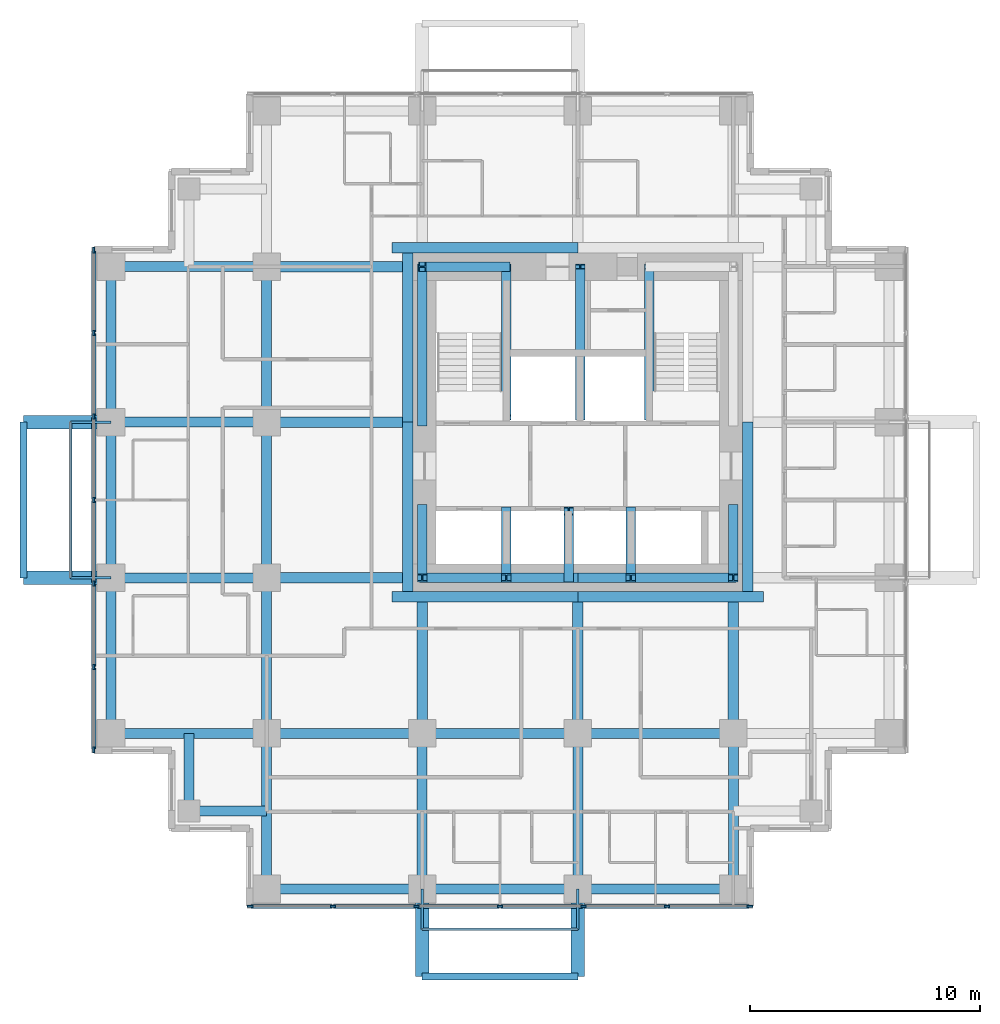
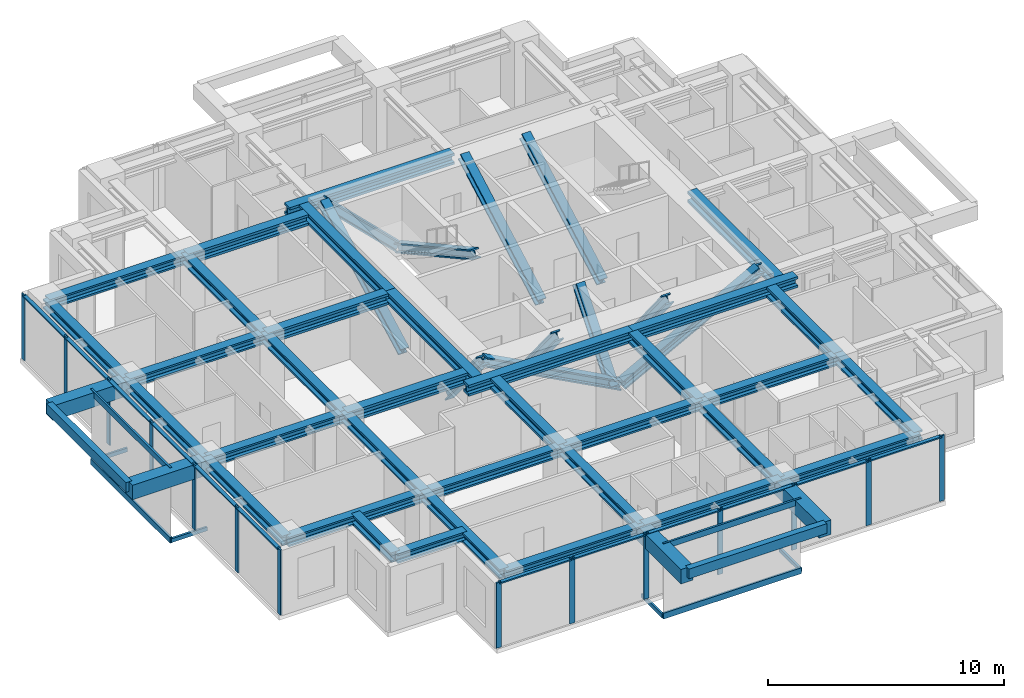
# One storey, part 2 of 10: 46 members, 40 beams, 2 elements without a shape of their own.
"""IFC4 building model written with IfcOpenShell, lengths in metres."""

from ifc_helpers import new_model, si_unit, direction, frame, origin, origin_2d, place, context, subcontext, project, spatial, rectangle, hollow_rectangle, i_section, extrude, material, material_profile, profile_set, type_object, element, aggregate, save


model = new_model("IFC4")

# Units and contexts
model_context = context("Model", 3, precision=1e-05, world=origin(), true_north=direction((0.0, 1.0)))
body_context = subcontext(model_context, "Body", "Model", "MODEL_VIEW")
ifc_project = project(units=[si_unit("LENGTHUNIT", "METRE"), si_unit("AREAUNIT", "SQUARE_METRE"), si_unit("VOLUMEUNIT", "CUBIC_METRE"), si_unit("PLANEANGLEUNIT", "RADIAN"), si_unit("MASSUNIT", "GRAM", prefix="KILO")], contexts=[model_context])

# Site, building, storey
site_placement = place(None, origin())
site = spatial("IfcSite", under=ifc_project, at=site_placement, CompositionType="ELEMENT")
building_placement = place(site_placement, origin())
building = spatial("IfcBuilding", under=site, at=building_placement, Name="Nyansa Garden Tower", CompositionType="ELEMENT")
storey_placement = place(building_placement, frame((0.0, 0.0, 189.0)))
storey = spatial("IfcBuildingStorey", under=building, at=storey_placement, Name="L51", CompositionType="ELEMENT", Elevation=189.0)

# Beams
ifc_material_1 = material(Name="Concrete C70/85", Category="concrete")
ifc_material_profile_1 = material_profile(ifc_material_1, rectangle(XDim=0.60009765625, YDim=0.75, at=origin_2d()), Name="RC 600x750")
ifc_profile_set_1 = profile_set([ifc_material_profile_1], Name="Concrete C70/85")
beam_type_1 = type_object("IfcBeamType", Name="Balcony cantilever beam CB1 RC 600x750", PredefinedType="BEAM", material=ifc_profile_set_1)
for number, where, z_axis, x_axis, name in (
    (1, (13.5, 0.0, 2.985107421875), (0.0, -1.0, 0.0), (1.0, 0.0, 0.0), "Balcony cantilever beam L52"),
    (2, (20.25, 0.0, 2.985107421875), (0.0, -1.0, 0.0), (1.0, 0.0, 0.0), "Balcony cantilever beam L52"),
    (3, (0.0, 13.5, 2.985107421875), (-1.0, 0.0, 0.0), (0.0, -1.0, 0.0), "Balcony cantilever beam L52"),
    (4, (0.0, 20.25, 2.985107421875), (-1.0, 0.0, 0.0), (0.0, -1.0, 0.0), "Balcony cantilever beam L52"),
):
    element("IfcBeam", number, at=place(storey_placement, frame(where, z_axis=z_axis, x_axis=x_axis)), inside=storey, type_object=beam_type_1, Name=name, PredefinedType="BEAM", context=body_context, shape_type="SweptSolid", body=[
        extrude(rectangle(XDim=0.60009765625, YDim=0.75, at=origin_2d()), origin(), (0.0, 0.0, 1.0), 3.800048828125),
    ])
ifc_material_2 = material(Name="Concrete C70/85", Category="concrete")
ifc_material_profile_2 = material_profile(ifc_material_2, rectangle(XDim=0.300048828125, YDim=0.5, at=origin_2d()), Name="RC 300x500")
ifc_profile_set_2 = profile_set([ifc_material_profile_2], Name="Concrete C70/85")
beam_type_2 = type_object("IfcBeamType", Name="Balcony edge beam BE1 RC 300x500", PredefinedType="BEAM", material=ifc_profile_set_2)
for number, where, z_axis, x_axis, name in (
    (5, (13.5, -3.800048828125, 3.110107421875), (1.0, 0.0, 0.0), (0.0, 1.0, 0.0), "Balcony edge beam L52"),
    (6, (-3.800048828125, 13.5, 3.110107421875), (0.0, 1.0, 0.0), (-1.0, 0.0, 0.0), "Balcony edge beam L52"),
):
    element("IfcBeam", number, at=place(storey_placement, frame(where, z_axis=z_axis, x_axis=x_axis)), inside=storey, type_object=beam_type_2, Name=name, PredefinedType="BEAM", context=body_context, shape_type="SweptSolid", body=[
        extrude(rectangle(XDim=0.300048828125, YDim=0.5, at=origin_2d()), origin(), (0.0, 0.0, 1.0), 6.75),
    ])

# Curtain wall, members
ifc_material_3 = material(Name="Black anodised aluminium, dark tinted double glazing", Category="aluminium")
curtain_wall_type = type_object("IfcCurtainWallType", Name="Inner skin curtain wall ISW-C", PredefinedType="USERDEFINED", material=ifc_material_3)
curtain_wall_1_placement = place(storey_placement, origin())
curtain_wall_1 = element("IfcCurtainWall", 7, at=curtain_wall_1_placement, inside=storey, type_object=curtain_wall_type, Name="Inner skin curtain wall L51 W", ObjectType="UNITISED CURTAIN WALL", PredefinedType="USERDEFINED")
ifc_material_4 = material(Name="Black anodised aluminium", Category="aluminium")
ifc_material_profile_3 = material_profile(ifc_material_4, rectangle(XDim=0.070068359375, YDim=0.25, at=origin_2d()), Name="Mullion 250x70")
ifc_profile_set_3 = profile_set([ifc_material_profile_3], Name="Black anodised aluminium")
member_type_1 = type_object("IfcMemberType", Name="Mullion ISW-C 250x70", PredefinedType="MULLION", material=ifc_profile_set_3)
member_1_placement = place(storey_placement, frame((-0.75, 27.715087890625, 0.0), z_axis=(0.0, 0.0, 1.0), x_axis=(1.0, 0.0, 0.0)))
member_1 = element("IfcMember", 8, at=member_1_placement, type_object=member_type_1, Name="ISW-C mullion 1", PredefinedType="MULLION", context=body_context, shape_type="SweptSolid", body=[
    extrude(rectangle(XDim=0.070068359375, YDim=0.25, at=origin_2d()), origin(), (0.0, 0.0, 1.0), 3.375),
])
member_2_placement = place(storey_placement, frame((-0.75, 24.125, 0.0), z_axis=(0.0, 0.0, 1.0), x_axis=(1.0, 0.0, 0.0)))
member_2 = element("IfcMember", 9, at=member_2_placement, type_object=member_type_1, Name="ISW-C mullion 2", PredefinedType="MULLION", context=body_context, shape_type="SweptSolid", body=[
    extrude(rectangle(XDim=0.070068359375, YDim=0.25, at=origin_2d()), origin(), (0.0, 0.0, 1.0), 3.375),
])
member_3_placement = place(storey_placement, frame((-0.75, 20.5, 0.0), z_axis=(0.0, 0.0, 1.0), x_axis=(1.0, 0.0, 0.0)))
member_3 = element("IfcMember", 10, at=member_3_placement, type_object=member_type_1, Name="ISW-C mullion 3", PredefinedType="MULLION", context=body_context, shape_type="SweptSolid", body=[
    extrude(rectangle(XDim=0.070068359375, YDim=0.25, at=origin_2d()), origin(), (0.0, 0.0, 1.0), 3.375),
])
member_4_placement = place(storey_placement, frame((-0.75, 16.875, 0.0), z_axis=(0.0, 0.0, 1.0), x_axis=(1.0, 0.0, 0.0)))
member_4 = element("IfcMember", 11, at=member_4_placement, type_object=member_type_1, Name="ISW-C mullion 4", PredefinedType="MULLION", context=body_context, shape_type="SweptSolid", body=[
    extrude(rectangle(XDim=0.070068359375, YDim=0.25, at=origin_2d()), origin(), (0.0, 0.0, 1.0), 3.375),
])
member_5_placement = place(storey_placement, frame((-0.75, 13.25, 0.0), z_axis=(0.0, 0.0, 1.0), x_axis=(1.0, 0.0, 0.0)))
member_5 = element("IfcMember", 12, at=member_5_placement, type_object=member_type_1, Name="ISW-C mullion 5", PredefinedType="MULLION", context=body_context, shape_type="SweptSolid", body=[
    extrude(rectangle(XDim=0.070068359375, YDim=0.25, at=origin_2d()), origin(), (0.0, 0.0, 1.0), 3.375),
])
member_6_placement = place(storey_placement, frame((-0.75, 9.625, 0.0), z_axis=(0.0, 0.0, 1.0), x_axis=(1.0, 0.0, 0.0)))
member_6 = element("IfcMember", 13, at=member_6_placement, type_object=member_type_1, Name="ISW-C mullion 6", PredefinedType="MULLION", context=body_context, shape_type="SweptSolid", body=[
    extrude(rectangle(XDim=0.070068359375, YDim=0.25, at=origin_2d()), origin(), (0.0, 0.0, 1.0), 3.375),
])
member_7_placement = place(storey_placement, frame((-0.75, 6.034912109375, 0.0), z_axis=(0.0, 0.0, 1.0), x_axis=(1.0, 0.0, 0.0)))
member_7 = element("IfcMember", 14, at=member_7_placement, type_object=member_type_1, Name="ISW-C mullion 7", PredefinedType="MULLION", context=body_context, shape_type="SweptSolid", body=[
    extrude(rectangle(XDim=0.070068359375, YDim=0.25, at=origin_2d()), origin(), (0.0, 0.0, 1.0), 3.375),
])

curtain_wall_2_placement = place(storey_placement, origin())
curtain_wall_2 = element("IfcCurtainWall", 15, at=curtain_wall_2_placement, inside=storey, type_object=curtain_wall_type, Name="Inner skin curtain wall L51 S", ObjectType="UNITISED CURTAIN WALL", PredefinedType="USERDEFINED")
member_8_placement = place(storey_placement, frame((6.034912109375, -0.75, 0.0), z_axis=(0.0, 0.0, 1.0), x_axis=(0.0, 1.0, 0.0)))
member_8 = element("IfcMember", 16, at=member_8_placement, type_object=member_type_1, Name="ISW-C mullion 1", PredefinedType="MULLION", context=body_context, shape_type="SweptSolid", body=[
    extrude(rectangle(XDim=0.070068359375, YDim=0.25, at=origin_2d()), origin(), (0.0, 0.0, 1.0), 3.375),
])
member_9_placement = place(storey_placement, frame((9.625, -0.75, 0.0), z_axis=(0.0, 0.0, 1.0), x_axis=(0.0, 1.0, 0.0)))
member_9 = element("IfcMember", 17, at=member_9_placement, type_object=member_type_1, Name="ISW-C mullion 2", PredefinedType="MULLION", context=body_context, shape_type="SweptSolid", body=[
    extrude(rectangle(XDim=0.070068359375, YDim=0.25, at=origin_2d()), origin(), (0.0, 0.0, 1.0), 3.375),
])
member_10_placement = place(storey_placement, frame((13.25, -0.75, 0.0), z_axis=(0.0, 0.0, 1.0), x_axis=(0.0, 1.0, 0.0)))
member_10 = element("IfcMember", 18, at=member_10_placement, type_object=member_type_1, Name="ISW-C mullion 3", PredefinedType="MULLION", context=body_context, shape_type="SweptSolid", body=[
    extrude(rectangle(XDim=0.070068359375, YDim=0.25, at=origin_2d()), origin(), (0.0, 0.0, 1.0), 3.375),
])
member_11_placement = place(storey_placement, frame((16.875, -0.75, 0.0), z_axis=(0.0, 0.0, 1.0), x_axis=(0.0, 1.0, 0.0)))
member_11 = element("IfcMember", 19, at=member_11_placement, type_object=member_type_1, Name="ISW-C mullion 4", PredefinedType="MULLION", context=body_context, shape_type="SweptSolid", body=[
    extrude(rectangle(XDim=0.070068359375, YDim=0.25, at=origin_2d()), origin(), (0.0, 0.0, 1.0), 3.375),
])
member_12_placement = place(storey_placement, frame((20.5, -0.75, 0.0), z_axis=(0.0, 0.0, 1.0), x_axis=(0.0, 1.0, 0.0)))
member_12 = element("IfcMember", 20, at=member_12_placement, type_object=member_type_1, Name="ISW-C mullion 5", PredefinedType="MULLION", context=body_context, shape_type="SweptSolid", body=[
    extrude(rectangle(XDim=0.070068359375, YDim=0.25, at=origin_2d()), origin(), (0.0, 0.0, 1.0), 3.375),
])
member_13_placement = place(storey_placement, frame((24.125, -0.75, 0.0), z_axis=(0.0, 0.0, 1.0), x_axis=(0.0, 1.0, 0.0)))
member_13 = element("IfcMember", 21, at=member_13_placement, type_object=member_type_1, Name="ISW-C mullion 6", PredefinedType="MULLION", context=body_context, shape_type="SweptSolid", body=[
    extrude(rectangle(XDim=0.070068359375, YDim=0.25, at=origin_2d()), origin(), (0.0, 0.0, 1.0), 3.375),
])
member_14_placement = place(storey_placement, frame((27.715087890625, -0.75, 0.0), z_axis=(0.0, 0.0, 1.0), x_axis=(0.0, 1.0, 0.0)))
member_14 = element("IfcMember", 22, at=member_14_placement, type_object=member_type_1, Name="ISW-C mullion 7", PredefinedType="MULLION", context=body_context, shape_type="SweptSolid", body=[
    extrude(rectangle(XDim=0.070068359375, YDim=0.25, at=origin_2d()), origin(), (0.0, 0.0, 1.0), 3.375),
])

# Members
ifc_material_5 = material(Name="Steel S355, black powder coated", Category="steel")
ifc_material_profile_4 = material_profile(ifc_material_5, hollow_rectangle(XDim=0.10009765625, YDim=0.199951171875, WallThickness=0.008056640625, at=origin_2d()), Name="RHS 200x100x8")
ifc_profile_set_4 = profile_set([ifc_material_profile_4], Name="Steel S355, black powder coated")
member_type_2 = type_object("IfcMemberType", Name="Outer skin bracket arm RHS 200x100x8", PredefinedType="USERDEFINED", material=ifc_profile_set_4)
for number, where, z_axis, x_axis, name in (
    (23, (0.0, 13.5, -0.375), (-1.0, 0.0, 0.0), (0.0, -1.0, 0.0), "Outer skin bracket arm"),
    (24, (0.0, 20.25, -0.375), (-1.0, 0.0, 0.0), (0.0, -1.0, 0.0), "Outer skin bracket arm"),
    (25, (13.5, 0.0, -0.375), (0.0, -1.0, 0.0), (1.0, 0.0, 0.0), "Outer skin bracket arm"),
    (26, (20.25, 0.0, -0.375), (0.0, -1.0, 0.0), (1.0, 0.0, 0.0), "Outer skin bracket arm"),
):
    element("IfcMember", number, at=place(storey_placement, frame(where, z_axis=z_axis, x_axis=x_axis)), inside=storey, type_object=member_type_2, Name=name, ObjectType="OUTER SKIN BRACKET", PredefinedType="USERDEFINED", context=body_context, shape_type="SweptSolid", body=[
        extrude(hollow_rectangle(XDim=0.10009765625, YDim=0.199951171875, WallThickness=0.008056640625, at=origin_2d()), origin(), (0.0, 0.0, 1.0), 1.75),
    ])
ifc_material_6 = material(Name="Steel S355, black powder coated", Category="steel")
ifc_material_profile_5 = material_profile(ifc_material_6, hollow_rectangle(XDim=0.10009765625, YDim=0.300048828125, WallThickness=0.010009765625, at=origin_2d()), Name="RHS 300x100x10")
ifc_profile_set_5 = profile_set([ifc_material_profile_5], Name="Steel S355, black powder coated")
member_type_3 = type_object("IfcMemberType", Name="Outer skin rail RHS 300x100x10", PredefinedType="USERDEFINED", material=ifc_profile_set_5)
for number, where, z_axis, x_axis, name in (
    (27, (-1.75, 13.5, -0.375), (0.0, 1.0, 0.0), (-1.0, 0.0, 0.0), "Outer skin rail L51"),
    (28, (-1.75, 13.5, 3.22509765625), (0.0, 1.0, 0.0), (-1.0, 0.0, 0.0), "Outer skin rail L51 head"),
    (29, (13.5, -1.75, -0.375), (1.0, 0.0, 0.0), (0.0, 1.0, 0.0), "Outer skin rail L51"),
    (30, (13.5, -1.75, 3.22509765625), (1.0, 0.0, 0.0), (0.0, 1.0, 0.0), "Outer skin rail L51 head"),
):
    element("IfcMember", number, at=place(storey_placement, frame(where, z_axis=z_axis, x_axis=x_axis)), inside=storey, type_object=member_type_3, Name=name, ObjectType="OUTER SKIN RAIL", PredefinedType="USERDEFINED", context=body_context, shape_type="SweptSolid", body=[
        extrude(hollow_rectangle(XDim=0.10009765625, YDim=0.300048828125, WallThickness=0.010009765625, at=origin_2d()), origin(), (0.0, 0.0, 1.0), 6.75),
    ])
ifc_material_7 = material(Name="Steel S355", Category="steel")
ifc_material_profile_6 = material_profile(ifc_material_7, i_section(OverallWidth=0.41796875, OverallDepth=0.455078125, WebThickness=0.0419921875, FlangeThickness=0.067626953125, FilletRadius=0.014892578125, at=origin_2d()), Name="HD 400x463")
ifc_profile_set_6 = profile_set([ifc_material_profile_6], Name="Steel S355")
member_type_4 = type_object("IfcMemberType", Name="Perimeter brace heavy HD 400x463", PredefinedType="BRACE", material=ifc_profile_set_6)
for number, where, z_axis, x_axis, name in (
    (31, (20.25, 13.5, 0.0), (-0.882347640589, 0.0, 0.47059817376), (0.0, -1.0, 0.0), "Core brace CS1 L51"),
    (32, (20.25, 13.5, 0.0), (0.882347640589, 0.0, 0.47059817376), (0.0, 1.0, 0.0), "Core brace CS2 L51"),
):
    element("IfcMember", number, at=place(storey_placement, frame(where, z_axis=z_axis, x_axis=x_axis)), inside=storey, type_object=member_type_4, Name=name, PredefinedType="BRACE", context=body_context, shape_type="SweptSolid", body=[
        extrude(i_section(OverallWidth=0.41796875, OverallDepth=0.455078125, WebThickness=0.0419921875, FlangeThickness=0.067626953125, FilletRadius=0.014892578125, at=origin_2d()), origin(), (0.0, 0.0, 1.0), 7.650146484375),
    ])
member_15_placement = place(storey_placement, frame((17.14990234375, 27.0, 0.0), z_axis=(-0.711947531702, 0.0, 0.702232662373), x_axis=(0.0, -1.0, 0.0)))
element("IfcMember", 33, at=member_15_placement, inside=storey, type_object=member_type_4, Name="Core brace CN3 L51", PredefinedType="BRACE", context=body_context, shape_type="SweptSolid", body=[
    extrude(i_section(OverallWidth=0.41796875, OverallDepth=0.455078125, WebThickness=0.0419921875, FlangeThickness=0.067626953125, FilletRadius=0.014892578125, at=origin_2d()), origin(), (0.0, 0.0, 1.0), 5.126708984375),
])
member_16_placement = place(storey_placement, frame((13.5, 16.5, 0.0), z_axis=(0.0, -0.640174150918, 0.768229820104), x_axis=(1.0, 0.0, 0.0)))
element("IfcMember", 34, at=member_16_placement, inside=storey, type_object=member_type_4, Name="Core brace CW5 L51", PredefinedType="BRACE", context=body_context, shape_type="SweptSolid", body=[
    extrude(i_section(OverallWidth=0.41796875, OverallDepth=0.455078125, WebThickness=0.0419921875, FlangeThickness=0.067626953125, FilletRadius=0.014892578125, at=origin_2d()), origin(), (0.0, 0.0, 1.0), 4.686279296875),
])
member_17_placement = place(storey_placement, frame((13.5, 20.199951171875, 0.0), z_axis=(0.0, 0.883784057226, 0.467895009796), x_axis=(-1.0, 0.0, 0.0)))
element("IfcMember", 35, at=member_17_placement, inside=storey, type_object=member_type_4, Name="Core brace CW6 L51", PredefinedType="BRACE", context=body_context, shape_type="SweptSolid", body=[
    extrude(i_section(OverallWidth=0.41796875, OverallDepth=0.455078125, WebThickness=0.0419921875, FlangeThickness=0.067626953125, FilletRadius=0.014892578125, at=origin_2d()), origin(), (0.0, 0.0, 1.0), 7.6943359375),
])
member_18_placement = place(storey_placement, frame((27.0, 16.5, 0.0), z_axis=(0.0, -0.640174150918, 0.768229820104), x_axis=(1.0, 0.0, 0.0)))
element("IfcMember", 36, at=member_18_placement, inside=storey, type_object=member_type_4, Name="Core brace CE7 L51", PredefinedType="BRACE", context=body_context, shape_type="SweptSolid", body=[
    extrude(i_section(OverallWidth=0.41796875, OverallDepth=0.455078125, WebThickness=0.0419921875, FlangeThickness=0.067626953125, FilletRadius=0.014892578125, at=origin_2d()), origin(), (0.0, 0.0, 1.0), 4.686279296875),
])
for number, where, z_axis, x_axis, name in (
    (37, (17.14990234375, 27.0, 0.0), (0.0, -0.876353113771, 0.481669201822), (1.0, 0.0, 0.0), "Core brace CWS9 L51"),
    (38, (23.35009765625, 20.449951171875, 0.0), (0.0, 0.876353113771, 0.481669201822), (-1.0, 0.0, 0.0), "Core brace CES10 L51"),
):
    element("IfcMember", number, at=place(storey_placement, frame(where, z_axis=z_axis, x_axis=x_axis)), inside=storey, type_object=member_type_4, Name=name, PredefinedType="BRACE", context=body_context, shape_type="SweptSolid", body=[
        extrude(i_section(OverallWidth=0.41796875, OverallDepth=0.455078125, WebThickness=0.0419921875, FlangeThickness=0.067626953125, FilletRadius=0.014892578125, at=origin_2d()), origin(), (0.0, 0.0, 1.0), 7.47412109375),
    ])
for number, where, z_axis, x_axis, name in (
    (39, (17.14990234375, 16.39990234375, 0.0), (0.0, -0.627306405886, 0.778772542617), (1.0, 0.0, 0.0), "Core brace CSW11 L51"),
    (40, (19.85009765625, 13.5, 0.0), (0.0, 0.627306405886, 0.778772542617), (-1.0, 0.0, 0.0), "Core brace CSW12 L51"),
    (41, (22.550048828125, 16.39990234375, 0.0), (0.0, -0.627306405886, 0.778772542617), (1.0, 0.0, 0.0), "Core brace CSW13 L51"),
):
    element("IfcMember", number, at=place(storey_placement, frame(where, z_axis=z_axis, x_axis=x_axis)), inside=storey, type_object=member_type_4, Name=name, PredefinedType="BRACE", context=body_context, shape_type="SweptSolid", body=[
        extrude(i_section(OverallWidth=0.41796875, OverallDepth=0.455078125, WebThickness=0.0419921875, FlangeThickness=0.067626953125, FilletRadius=0.014892578125, at=origin_2d()), origin(), (0.0, 0.0, 1.0), 4.622802734375),
    ])
member_19_placement = place(storey_placement, frame((20.35009765625, 20.449951171875, 0.0), z_axis=(0.0, 0.876353113771, 0.481669201822), x_axis=(-1.0, 0.0, 0.0)))
element("IfcMember", 42, at=member_19_placement, inside=storey, type_object=member_type_4, Name="Core brace CNW14 L51", PredefinedType="BRACE", context=body_context, shape_type="SweptSolid", body=[
    extrude(i_section(OverallWidth=0.41796875, OverallDepth=0.455078125, WebThickness=0.0419921875, FlangeThickness=0.067626953125, FilletRadius=0.014892578125, at=origin_2d()), origin(), (0.0, 0.0, 1.0), 7.47412109375),
])

# Beams
ifc_material_8 = material(Name="Steel S355", Category="steel")
ifc_material_profile_7 = material_profile(ifc_material_8, i_section(OverallWidth=0.431884765625, OverallDepth=0.498046875, WebThickness=0.0556640625, FlangeThickness=0.0888671875, FilletRadius=0.014892578125, at=origin_2d()), Name="HD 400x744")
ifc_profile_set_7 = profile_set([ifc_material_profile_7], Name="Steel S355")
beam_type_3 = type_object("IfcBeamType", Name="Steel beam SBC1-744 HD 400x744", PredefinedType="BEAM", material=ifc_profile_set_7)
for number, where, z_axis, x_axis, name in (
    (43, (0.0, 6.75, 3.1259765625), (1.0, 0.0, 0.0), (0.0, 1.0, 0.0), "Steel beam 2/E-3/E L52"),
    (44, (0.0, 13.5, 3.1259765625), (1.0, 0.0, 0.0), (0.0, 1.0, 0.0), "Steel beam 2/F-3/F L52"),
    (45, (0.0, 20.25, 3.1259765625), (1.0, 0.0, 0.0), (0.0, 1.0, 0.0), "Steel beam 2/G-3/G L52"),
    (46, (0.0, 27.0, 3.1259765625), (1.0, 0.0, 0.0), (0.0, 1.0, 0.0), "Steel beam 2/H-3/H L52"),
    (47, (6.75, 0.0, 3.1259765625), (0.0, 1.0, 0.0), (-1.0, 0.0, 0.0), "Steel beam 3/D-3/E L52"),
    (48, (6.75, 6.75, 3.1259765625), (0.0, 1.0, 0.0), (-1.0, 0.0, 0.0), "Steel beam 3/E-3/F L52"),
    (49, (6.75, 6.75, 3.1259765625), (1.0, 0.0, 0.0), (0.0, 1.0, 0.0), "Steel beam 3/E-4/E L52"),
    (50, (6.75, 13.5, 3.1259765625), (0.0, 1.0, 0.0), (-1.0, 0.0, 0.0), "Steel beam 3/F-3/G L52"),
    (51, (6.75, 20.25, 3.1259765625), (0.0, 1.0, 0.0), (-1.0, 0.0, 0.0), "Steel beam 3/G-3/H L52"),
    (52, (13.5, 0.0, 3.1259765625), (0.0, 1.0, 0.0), (-1.0, 0.0, 0.0), "Steel beam 4/D-4/E L52"),
    (53, (13.5, 6.75, 3.1259765625), (1.0, 0.0, 0.0), (0.0, 1.0, 0.0), "Steel beam 4/E-5/E L52"),
    (54, (20.25, 0.0, 3.1259765625), (0.0, 1.0, 0.0), (-1.0, 0.0, 0.0), "Steel beam 5/D-5/E L52"),
    (55, (20.25, 6.75, 3.1259765625), (1.0, 0.0, 0.0), (0.0, 1.0, 0.0), "Steel beam 5/E-6/E L52"),
    (56, (27.0, 0.0, 3.1259765625), (0.0, 1.0, 0.0), (-1.0, 0.0, 0.0), "Steel beam 6/D-6/E L52"),
):
    element("IfcBeam", number, at=place(storey_placement, frame(where, z_axis=z_axis, x_axis=x_axis)), inside=storey, type_object=beam_type_3, Name=name, PredefinedType="BEAM", context=body_context, shape_type="SweptSolid", body=[
        extrude(i_section(OverallWidth=0.431884765625, OverallDepth=0.498046875, WebThickness=0.0556640625, FlangeThickness=0.0888671875, FilletRadius=0.014892578125, at=origin_2d()), origin(), (0.0, 0.0, 1.0), 6.75),
    ])
ifc_material_9 = material(Name="Steel S355", Category="steel")
ifc_material_profile_8 = material_profile(ifc_material_9, i_section(OverallWidth=0.4541015625, OverallDepth=0.569091796875, WebThickness=0.077880859375, FlangeThickness=0.125, FilletRadius=0.014892578125, at=origin_2d()), Name="HD 400x1086")
ifc_profile_set_8 = profile_set([ifc_material_profile_8], Name="Steel S355")
beam_type_4 = type_object("IfcBeamType", Name="Steel beam SCL-1086 HD 400x1086", PredefinedType="BEAM", material=ifc_profile_set_8)
for number, where, z_axis, x_axis, name in (
    (57, (6.75, 13.5, 3.090576171875), (1.0, 0.0, 0.0), (0.0, 1.0, 0.0), "Steel beam 3/F-12.650/F L52"),
    (58, (6.75, 20.25, 3.090576171875), (1.0, 0.0, 0.0), (0.0, 1.0, 0.0), "Steel beam 3/G-12.650/G L52"),
    (59, (6.75, 27.0, 3.090576171875), (1.0, 0.0, 0.0), (0.0, 1.0, 0.0), "Steel beam 3/H-12.650/H L52"),
):
    element("IfcBeam", number, at=place(storey_placement, frame(where, z_axis=z_axis, x_axis=x_axis)), inside=storey, type_object=beam_type_4, Name=name, PredefinedType="BEAM", context=body_context, shape_type="SweptSolid", body=[
        extrude(i_section(OverallWidth=0.4541015625, OverallDepth=0.569091796875, WebThickness=0.077880859375, FlangeThickness=0.125, FilletRadius=0.014892578125, at=origin_2d()), origin(), (0.0, 0.0, 1.0), 5.89990234375),
    ])
for number, where, z_axis, x_axis, name in (
    (60, (13.5, 6.75, 3.090576171875), (0.0, 1.0, 0.0), (-1.0, 0.0, 0.0), "Steel beam 4/E-4/12.450 L52"),
    (61, (20.25, 6.75, 3.090576171875), (0.0, 1.0, 0.0), (-1.0, 0.0, 0.0), "Steel beam 5/E-5/12.450 L52"),
    (62, (27.0, 6.75, 3.090576171875), (0.0, 1.0, 0.0), (-1.0, 0.0, 0.0), "Steel beam 6/E-6/12.450 L52"),
):
    element("IfcBeam", number, at=place(storey_placement, frame(where, z_axis=z_axis, x_axis=x_axis)), inside=storey, type_object=beam_type_4, Name=name, PredefinedType="BEAM", context=body_context, shape_type="SweptSolid", body=[
        extrude(i_section(OverallWidth=0.4541015625, OverallDepth=0.569091796875, WebThickness=0.077880859375, FlangeThickness=0.125, FilletRadius=0.014892578125, at=origin_2d()), origin(), (0.0, 0.0, 1.0), 5.699951171875),
    ])
for number, where, z_axis, x_axis, name in (
    (63, (12.199951171875, 12.673095703125, 3.090576171875), (1.0, 0.0, 0.0), (0.0, 1.0, 0.0), "Steel core ledger beam S.1 L52"),
    (64, (20.25, 12.673095703125, 3.090576171875), (1.0, 0.0, 0.0), (0.0, 1.0, 0.0), "Steel core ledger beam S.2 L52"),
):
    element("IfcBeam", number, at=place(storey_placement, frame(where, z_axis=z_axis, x_axis=x_axis)), inside=storey, type_object=beam_type_4, Name=name, PredefinedType="BEAM", context=body_context, shape_type="SweptSolid", body=[
        extrude(i_section(OverallWidth=0.4541015625, OverallDepth=0.569091796875, WebThickness=0.077880859375, FlangeThickness=0.125, FilletRadius=0.014892578125, at=origin_2d()), origin(), (0.0, 0.0, 1.0), 8.050048828125),
    ])
beam_1_placement = place(storey_placement, frame((27.626953125, 12.89990234375, 3.090576171875), z_axis=(0.0, 1.0, 0.0), x_axis=(-1.0, 0.0, 0.0)))
element("IfcBeam", 65, at=beam_1_placement, inside=storey, type_object=beam_type_4, Name="Steel core ledger beam E.1 L52", PredefinedType="BEAM", context=body_context, shape_type="SweptSolid", body=[
    extrude(i_section(OverallWidth=0.4541015625, OverallDepth=0.569091796875, WebThickness=0.077880859375, FlangeThickness=0.125, FilletRadius=0.014892578125, at=origin_2d()), origin(), (0.0, 0.0, 1.0), 7.35009765625),
])
beam_2_placement = place(storey_placement, frame((20.25, 27.826904296875, 3.090576171875), z_axis=(-1.0, 0.0, 0.0), x_axis=(0.0, -1.0, 0.0)))
element("IfcBeam", 66, at=beam_2_placement, inside=storey, type_object=beam_type_4, Name="Steel core ledger beam N.2 L52", PredefinedType="BEAM", context=body_context, shape_type="SweptSolid", body=[
    extrude(i_section(OverallWidth=0.4541015625, OverallDepth=0.569091796875, WebThickness=0.077880859375, FlangeThickness=0.125, FilletRadius=0.014892578125, at=origin_2d()), origin(), (0.0, 0.0, 1.0), 8.050048828125),
])
for number, where, z_axis, x_axis, name in (
    (67, (12.873046875, 27.60009765625, 3.090576171875), (0.0, -1.0, 0.0), (1.0, 0.0, 0.0), "Steel core ledger beam W.1 L52"),
    (68, (12.873046875, 20.25, 3.090576171875), (0.0, -1.0, 0.0), (1.0, 0.0, 0.0), "Steel core ledger beam W.2 L52"),
):
    element("IfcBeam", number, at=place(storey_placement, frame(where, z_axis=z_axis, x_axis=x_axis)), inside=storey, type_object=beam_type_4, Name=name, PredefinedType="BEAM", context=body_context, shape_type="SweptSolid", body=[
        extrude(i_section(OverallWidth=0.4541015625, OverallDepth=0.569091796875, WebThickness=0.077880859375, FlangeThickness=0.125, FilletRadius=0.014892578125, at=origin_2d()), origin(), (0.0, 0.0, 1.0), 7.35009765625),
    ])
ifc_material_10 = material(Name="Steel S355", Category="steel")
ifc_material_profile_9 = material_profile(ifc_material_10, i_section(OverallWidth=0.431884765625, OverallDepth=0.498046875, WebThickness=0.0556640625, FlangeThickness=0.0888671875, FilletRadius=0.014892578125, at=origin_2d()), Name="HD 400x744")
ifc_profile_set_9 = profile_set([ifc_material_profile_9], Name="Steel S355")
beam_type_5 = type_object("IfcBeamType", Name="Steel beam SEBC-744 HD 400x744", PredefinedType="BEAM", material=ifc_profile_set_9)
for number, where, z_axis, x_axis, name in (
    (69, (0.0, 6.75, 3.1259765625), (0.0, 1.0, 0.0), (-1.0, 0.0, 0.0), "Steel edge beam 2/E-2/F L52"),
    (70, (0.0, 13.5, 3.1259765625), (0.0, 1.0, 0.0), (-1.0, 0.0, 0.0), "Steel edge beam 2/F-2/G L52"),
    (71, (0.0, 20.25, 3.1259765625), (0.0, 1.0, 0.0), (-1.0, 0.0, 0.0), "Steel edge beam 2/G-2/H L52"),
    (72, (6.75, 0.0, 3.1259765625), (1.0, 0.0, 0.0), (0.0, 1.0, 0.0), "Steel edge beam 3/D-4/D L52"),
    (73, (13.5, 0.0, 3.1259765625), (1.0, 0.0, 0.0), (0.0, 1.0, 0.0), "Steel edge beam 4/D-5/D L52"),
    (74, (20.25, 0.0, 3.1259765625), (1.0, 0.0, 0.0), (0.0, 1.0, 0.0), "Steel edge beam 5/D-6/D L52"),
):
    element("IfcBeam", number, at=place(storey_placement, frame(where, z_axis=z_axis, x_axis=x_axis)), inside=storey, type_object=beam_type_5, Name=name, PredefinedType="BEAM", context=body_context, shape_type="SweptSolid", body=[
        extrude(i_section(OverallWidth=0.431884765625, OverallDepth=0.498046875, WebThickness=0.0556640625, FlangeThickness=0.0888671875, FilletRadius=0.014892578125, at=origin_2d()), origin(), (0.0, 0.0, 1.0), 6.75),
    ])
ifc_material_11 = material(Name="Steel S355", Category="steel")
ifc_material_profile_10 = material_profile(ifc_material_11, i_section(OverallWidth=0.431884765625, OverallDepth=0.498046875, WebThickness=0.0556640625, FlangeThickness=0.0888671875, FilletRadius=0.014892578125, at=origin_2d()), Name="HD 400x744")
ifc_profile_set_10 = profile_set([ifc_material_profile_10], Name="Steel S355")
beam_type_6 = type_object("IfcBeamType", Name="Steel beam SSB1-744 HD 400x744", PredefinedType="BEAM", material=ifc_profile_set_10)
for number, where, z_axis, x_axis, name in (
    (75, (3.375, 3.375, 3.1259765625), (0.0, 1.0, 0.0), (-1.0, 0.0, 0.0), "Steel step beam 3.375/3.375 L52"),
    (76, (3.375, 3.375, 3.1259765625), (1.0, 0.0, 0.0), (0.0, 1.0, 0.0), "Steel step beam 3.375/3.375 L52"),
):
    element("IfcBeam", number, at=place(storey_placement, frame(where, z_axis=z_axis, x_axis=x_axis)), inside=storey, type_object=beam_type_6, Name=name, PredefinedType="BEAM", context=body_context, shape_type="SweptSolid", body=[
        extrude(i_section(OverallWidth=0.431884765625, OverallDepth=0.498046875, WebThickness=0.0556640625, FlangeThickness=0.0888671875, FilletRadius=0.014892578125, at=origin_2d()), origin(), (0.0, 0.0, 1.0), 3.375),
    ])

# Member
ifc_material_12 = material(Name="Black anodised aluminium", Category="aluminium")
ifc_material_profile_11 = material_profile(ifc_material_12, rectangle(XDim=0.179931640625, YDim=0.070068359375, at=origin_2d()), Name="Transom 180x70")
ifc_profile_set_11 = profile_set([ifc_material_profile_11], Name="Black anodised aluminium")
member_type_5 = type_object("IfcMemberType", Name="Transom ISW-C 180x70", PredefinedType="USERDEFINED", material=ifc_profile_set_11)
member_20_placement = place(storey_placement, frame((-0.75, 27.679931640625, 3.340087890625), z_axis=(0.0, -1.0, 0.0), x_axis=(1.0, 0.0, 0.0)))
member_20 = element("IfcMember", 77, at=member_20_placement, type_object=member_type_5, Name="ISW-C transom 1", ObjectType="TRANSOM", PredefinedType="USERDEFINED", context=body_context, shape_type="SweptSolid", body=[
    extrude(rectangle(XDim=0.179931640625, YDim=0.070068359375, at=origin_2d()), origin(), (0.0, 0.0, 1.0), 3.52001953125),
])

member_21_placement = place(storey_placement, frame((-0.75, 24.090087890625, 3.340087890625), z_axis=(0.0, -1.0, 0.0), x_axis=(1.0, 0.0, 0.0)))
member_21 = element("IfcMember", 78, at=member_21_placement, type_object=member_type_5, Name="ISW-C transom 2", ObjectType="TRANSOM", PredefinedType="USERDEFINED", context=body_context, shape_type="SweptSolid", body=[
    extrude(rectangle(XDim=0.179931640625, YDim=0.070068359375, at=origin_2d()), origin(), (0.0, 0.0, 1.0), 3.55517578125),
])

member_22_placement = place(storey_placement, frame((-0.75, 20.465087890625, 3.340087890625), z_axis=(0.0, -1.0, 0.0), x_axis=(1.0, 0.0, 0.0)))
member_22 = element("IfcMember", 79, at=member_22_placement, type_object=member_type_5, Name="ISW-C transom 3", ObjectType="TRANSOM", PredefinedType="USERDEFINED", context=body_context, shape_type="SweptSolid", body=[
    extrude(rectangle(XDim=0.179931640625, YDim=0.070068359375, at=origin_2d()), origin(), (0.0, 0.0, 1.0), 3.55517578125),
])

member_23_placement = place(storey_placement, frame((-0.75, 16.840087890625, 3.340087890625), z_axis=(0.0, -1.0, 0.0), x_axis=(1.0, 0.0, 0.0)))
member_23 = element("IfcMember", 80, at=member_23_placement, type_object=member_type_5, Name="ISW-C transom 4", ObjectType="TRANSOM", PredefinedType="USERDEFINED", context=body_context, shape_type="SweptSolid", body=[
    extrude(rectangle(XDim=0.179931640625, YDim=0.070068359375, at=origin_2d()), origin(), (0.0, 0.0, 1.0), 3.55517578125),
])

member_24_placement = place(storey_placement, frame((-0.75, 13.215087890625, 3.340087890625), z_axis=(0.0, -1.0, 0.0), x_axis=(1.0, 0.0, 0.0)))
member_24 = element("IfcMember", 81, at=member_24_placement, type_object=member_type_5, Name="ISW-C transom 5", ObjectType="TRANSOM", PredefinedType="USERDEFINED", context=body_context, shape_type="SweptSolid", body=[
    extrude(rectangle(XDim=0.179931640625, YDim=0.070068359375, at=origin_2d()), origin(), (0.0, 0.0, 1.0), 3.55517578125),
])

member_25_placement = place(storey_placement, frame((-0.75, 9.590087890625, 3.340087890625), z_axis=(0.0, -1.0, 0.0), x_axis=(1.0, 0.0, 0.0)))
member_25 = element("IfcMember", 82, at=member_25_placement, type_object=member_type_5, Name="ISW-C transom 6", ObjectType="TRANSOM", PredefinedType="USERDEFINED", context=body_context, shape_type="SweptSolid", body=[
    extrude(rectangle(XDim=0.179931640625, YDim=0.070068359375, at=origin_2d()), origin(), (0.0, 0.0, 1.0), 3.52001953125),
])

aggregate(curtain_wall_1, [member_1, member_2, member_3, member_4, member_5, member_6, member_7, member_20, member_21, member_22, member_23, member_24, member_25])

member_26_placement = place(storey_placement, frame((6.070068359375, -0.75, 3.340087890625), z_axis=(1.0, 0.0, 0.0), x_axis=(0.0, 1.0, 0.0)))
member_26 = element("IfcMember", 83, at=member_26_placement, type_object=member_type_5, Name="ISW-C transom 1", ObjectType="TRANSOM", PredefinedType="USERDEFINED", context=body_context, shape_type="SweptSolid", body=[
    extrude(rectangle(XDim=0.179931640625, YDim=0.070068359375, at=origin_2d()), origin(), (0.0, 0.0, 1.0), 3.52001953125),
])

member_27_placement = place(storey_placement, frame((9.659912109375, -0.75, 3.340087890625), z_axis=(1.0, 0.0, 0.0), x_axis=(0.0, 1.0, 0.0)))
member_27 = element("IfcMember", 84, at=member_27_placement, type_object=member_type_5, Name="ISW-C transom 2", ObjectType="TRANSOM", PredefinedType="USERDEFINED", context=body_context, shape_type="SweptSolid", body=[
    extrude(rectangle(XDim=0.179931640625, YDim=0.070068359375, at=origin_2d()), origin(), (0.0, 0.0, 1.0), 3.55517578125),
])

member_28_placement = place(storey_placement, frame((13.284912109375, -0.75, 3.340087890625), z_axis=(1.0, 0.0, 0.0), x_axis=(0.0, 1.0, 0.0)))
member_28 = element("IfcMember", 85, at=member_28_placement, type_object=member_type_5, Name="ISW-C transom 3", ObjectType="TRANSOM", PredefinedType="USERDEFINED", context=body_context, shape_type="SweptSolid", body=[
    extrude(rectangle(XDim=0.179931640625, YDim=0.070068359375, at=origin_2d()), origin(), (0.0, 0.0, 1.0), 3.55517578125),
])

member_29_placement = place(storey_placement, frame((16.909912109375, -0.75, 3.340087890625), z_axis=(1.0, 0.0, 0.0), x_axis=(0.0, 1.0, 0.0)))
member_29 = element("IfcMember", 86, at=member_29_placement, type_object=member_type_5, Name="ISW-C transom 4", ObjectType="TRANSOM", PredefinedType="USERDEFINED", context=body_context, shape_type="SweptSolid", body=[
    extrude(rectangle(XDim=0.179931640625, YDim=0.070068359375, at=origin_2d()), origin(), (0.0, 0.0, 1.0), 3.55517578125),
])

member_30_placement = place(storey_placement, frame((20.534912109375, -0.75, 3.340087890625), z_axis=(1.0, 0.0, 0.0), x_axis=(0.0, 1.0, 0.0)))
member_30 = element("IfcMember", 87, at=member_30_placement, type_object=member_type_5, Name="ISW-C transom 5", ObjectType="TRANSOM", PredefinedType="USERDEFINED", context=body_context, shape_type="SweptSolid", body=[
    extrude(rectangle(XDim=0.179931640625, YDim=0.070068359375, at=origin_2d()), origin(), (0.0, 0.0, 1.0), 3.55517578125),
])

member_31_placement = place(storey_placement, frame((24.159912109375, -0.75, 3.340087890625), z_axis=(1.0, 0.0, 0.0), x_axis=(0.0, 1.0, 0.0)))
member_31 = element("IfcMember", 88, at=member_31_placement, type_object=member_type_5, Name="ISW-C transom 6", ObjectType="TRANSOM", PredefinedType="USERDEFINED", context=body_context, shape_type="SweptSolid", body=[
    extrude(rectangle(XDim=0.179931640625, YDim=0.070068359375, at=origin_2d()), origin(), (0.0, 0.0, 1.0), 3.52001953125),
])

aggregate(curtain_wall_2, [member_8, member_9, member_10, member_11, member_12, member_13, member_14, member_26, member_27, member_28, member_29, member_30, member_31])

save(model, "model.ifc")
